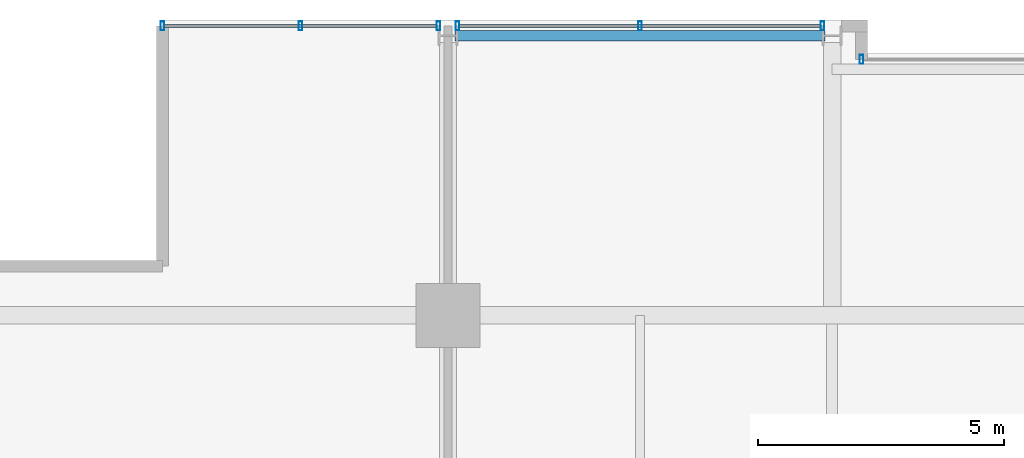
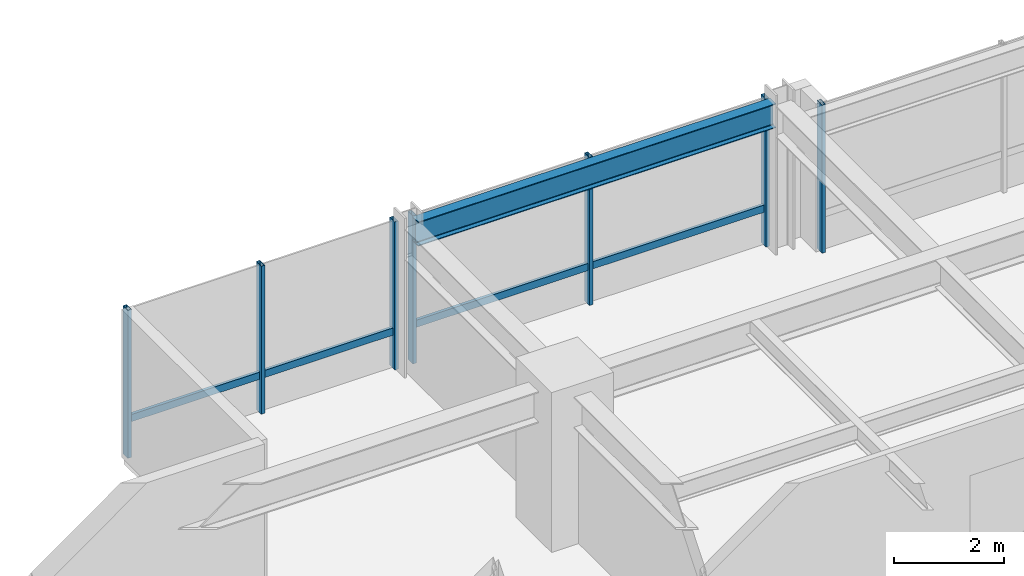
# One storey, part 20 of 32: 9 members, 1 beam, 3 elements without a shape of their own.
"""IFC4 building model written with IfcOpenShell, lengths in metres."""

from ifc_helpers import new_model, si_unit, direction, frame, origin, origin_2d, place, context, subcontext, project, spatial, hollow_rectangle, i_section, extrude, material, layer, layer_set, material_profile, profile_set, type_object, element, aggregate, save


model = new_model("IFC4")

# Units and contexts
model_context = context("Model", 3, precision=1e-05, world=origin(), true_north=direction((0.0, 1.0)))
body_context = subcontext(model_context, "Body", "Model", "MODEL_VIEW")
ifc_project = project(units=[si_unit("LENGTHUNIT", "METRE"), si_unit("AREAUNIT", "SQUARE_METRE"), si_unit("VOLUMEUNIT", "CUBIC_METRE"), si_unit("PLANEANGLEUNIT", "RADIAN"), si_unit("MASSUNIT", "GRAM", prefix="KILO")], contexts=[model_context])

# Site, building, storey
site_placement = place(None, origin())
site = spatial("IfcSite", under=ifc_project, at=site_placement, CompositionType="ELEMENT")
building_placement = place(site_placement, origin())
building = spatial("IfcBuilding", under=site, at=building_placement, Name="Drelvath Grand Hotel", CompositionType="ELEMENT")
storey_placement = place(building_placement, frame((0.0, 0.0, 193.0)))
storey = spatial("IfcBuildingStorey", under=building, at=storey_placement, Name="L50", CompositionType="ELEMENT", Elevation=193.0)

# Curtain wall, member
ifc_material_1 = material(Name="Brushed Pale-Silver Anodised Aluminium Frame", Category="aluminium")
ifc_layer = layer(ifc_material_1, 0.199951171875)
ifc_layer_set = layer_set([ifc_layer], Name="Brushed Pale-Silver Anodised Aluminium Frame")
curtain_wall_type = type_object("IfcCurtainWallType", Name="Stick Curtain Wall CW-04 Brushed Silver Upper-Mid", PredefinedType="NOTDEFINED", material=ifc_layer_set)
curtain_wall_1_placement = place(storey_placement, origin())
curtain_wall_1 = element("IfcCurtainWall", 1, at=curtain_wall_1_placement, inside=storey, type_object=curtain_wall_type, Name="L50 CW-04 Curtain Wall CW04-L50-NW1", PredefinedType="NOTDEFINED")
ifc_material_profile_1 = material_profile(ifc_material_1, hollow_rectangle(XDim=0.06494140625, YDim=0.159912109375, WallThickness=0.00390625, at=origin_2d()), Name="HSS160X65X4")
ifc_profile_set_1 = profile_set([ifc_material_profile_1], Name="Brushed Pale-Silver Anodised Aluminium Frame")
member_type_1 = type_object("IfcMemberType", Name="Curtain Wall Horizontal Transom CW-04 HSS160X65X4", PredefinedType="USERDEFINED", material=ifc_profile_set_1)
member_1_placement = place(storey_placement, frame((-21.9599609375, 49.080078125, 0.822509765625), z_axis=(1.0, 0.0, 0.0), x_axis=(0.0, 1.0, 0.0)))
member_1 = element("IfcMember", 2, at=member_1_placement, type_object=member_type_1, Name="CW04-L50-NW1 Sill Transom", ObjectType="TRANSOM", PredefinedType="USERDEFINED", context=body_context, shape_type="SweptSolid", body=[
    extrude(hollow_rectangle(XDim=0.06494140625, YDim=0.159912109375, WallThickness=0.00390625, at=origin_2d()), origin(), (0.0, 0.0, 1.0), 5.5283203125),
])

curtain_wall_2_placement = place(storey_placement, origin())
curtain_wall_2 = element("IfcCurtainWall", 3, at=curtain_wall_2_placement, inside=storey, type_object=curtain_wall_type, Name="L50 CW-04 Curtain Wall CW04-L50-NW2", PredefinedType="NOTDEFINED")
member_2_placement = place(storey_placement, frame((-15.968505859375, 49.080078125, 0.822509765625), z_axis=(1.0, 0.0, 0.0), x_axis=(0.0, 1.0, 0.0)))
member_2 = element("IfcMember", 4, at=member_2_placement, type_object=member_type_1, Name="CW04-L50-NW2 Sill Transom", ObjectType="TRANSOM", PredefinedType="USERDEFINED", context=body_context, shape_type="SweptSolid", body=[
    extrude(hollow_rectangle(XDim=0.06494140625, YDim=0.159912109375, WallThickness=0.00390625, at=origin_2d()), origin(), (0.0, 0.0, 1.0), 7.3369140625),
])

# Member
ifc_material_profile_2 = material_profile(ifc_material_1, hollow_rectangle(XDim=0.074951171875, YDim=0.179931640625, WallThickness=0.0048828125, at=origin_2d()), Name="HSS180X75X5")
ifc_profile_set_2 = profile_set([ifc_material_profile_2], Name="Brushed Pale-Silver Anodised Aluminium Frame")
member_type_2 = type_object("IfcMemberType", Name="Curtain Wall Vertical Mullion CW-04 HSS180X75X5", PredefinedType="MULLION", material=ifc_profile_set_2)
member_3_placement = place(storey_placement, frame((-22.0, 49.080078125, 0.0), z_axis=(0.0, 0.0, 1.0), x_axis=(1.0, 0.0, 0.0)))
member_3 = element("IfcMember", 5, at=member_3_placement, type_object=member_type_2, Name="CW04-L50-NW1 Mullion 1", PredefinedType="MULLION", context=body_context, shape_type="SweptSolid", body=[
    extrude(hollow_rectangle(XDim=0.074951171875, YDim=0.179931640625, WallThickness=0.0048828125, at=origin_2d()), origin(), (0.0, 0.0, 1.0), 3.2900390625),
])

member_4_placement = place(storey_placement, frame((-19.19580078125, 49.080078125, 0.0), z_axis=(0.0, 0.0, 1.0), x_axis=(1.0, 0.0, 0.0)))
member_4 = element("IfcMember", 6, at=member_4_placement, type_object=member_type_2, Name="CW04-L50-NW1 Mullion 2", PredefinedType="MULLION", context=body_context, shape_type="SweptSolid", body=[
    extrude(hollow_rectangle(XDim=0.074951171875, YDim=0.179931640625, WallThickness=0.0048828125, at=origin_2d()), origin(), (0.0, 0.0, 1.0), 3.2900390625),
])

member_5_placement = place(storey_placement, frame((-16.3916015625, 49.080078125, 0.0), z_axis=(0.0, 0.0, 1.0), x_axis=(1.0, 0.0, 0.0)))
member_5 = element("IfcMember", 7, at=member_5_placement, type_object=member_type_2, Name="CW04-L50-NW1 Mullion 3", PredefinedType="MULLION", context=body_context, shape_type="SweptSolid", body=[
    extrude(hollow_rectangle(XDim=0.074951171875, YDim=0.179931640625, WallThickness=0.0048828125, at=origin_2d()), origin(), (0.0, 0.0, 1.0), 3.2900390625),
])

aggregate(curtain_wall_1, [member_3, member_4, member_5, member_1])

member_6_placement = place(storey_placement, frame((-16.00830078125, 49.080078125, 0.0), z_axis=(0.0, 0.0, 1.0), x_axis=(1.0, 0.0, 0.0)))
member_6 = element("IfcMember", 8, at=member_6_placement, type_object=member_type_2, Name="CW04-L50-NW2 Mullion 1", PredefinedType="MULLION", context=body_context, shape_type="SweptSolid", body=[
    extrude(hollow_rectangle(XDim=0.074951171875, YDim=0.179931640625, WallThickness=0.0048828125, at=origin_2d()), origin(), (0.0, 0.0, 1.0), 3.2900390625),
])

member_7_placement = place(storey_placement, frame((-12.300048828125, 49.080078125, 0.0), z_axis=(0.0, 0.0, 1.0), x_axis=(1.0, 0.0, 0.0)))
member_7 = element("IfcMember", 9, at=member_7_placement, type_object=member_type_2, Name="CW04-L50-NW2 Mullion 2", PredefinedType="MULLION", context=body_context, shape_type="SweptSolid", body=[
    extrude(hollow_rectangle(XDim=0.074951171875, YDim=0.179931640625, WallThickness=0.0048828125, at=origin_2d()), origin(), (0.0, 0.0, 1.0), 3.2900390625),
])

member_8_placement = place(storey_placement, frame((-8.591796875, 49.080078125, 0.0), z_axis=(0.0, 0.0, 1.0), x_axis=(1.0, 0.0, 0.0)))
member_8 = element("IfcMember", 10, at=member_8_placement, type_object=member_type_2, Name="CW04-L50-NW2 Mullion 3", PredefinedType="MULLION", context=body_context, shape_type="SweptSolid", body=[
    extrude(hollow_rectangle(XDim=0.074951171875, YDim=0.179931640625, WallThickness=0.0048828125, at=origin_2d()), origin(), (0.0, 0.0, 1.0), 3.2900390625),
])

aggregate(curtain_wall_2, [member_6, member_7, member_8, member_2])

# Curtain wall, member
curtain_wall_3_placement = place(storey_placement, origin())
curtain_wall_3 = element("IfcCurtainWall", 11, at=curtain_wall_3_placement, inside=storey, type_object=curtain_wall_type, Name="L50 CW-04 Curtain Wall CW04-L50-NM1", PredefinedType="NOTDEFINED")
member_9_placement = place(storey_placement, frame((-7.800048828125, 48.39990234375, 0.0), z_axis=(0.0, 0.0, 1.0), x_axis=(1.0, 0.0, 0.0)))
member_9 = element("IfcMember", 12, at=member_9_placement, type_object=member_type_2, Name="CW04-L50-NM1 Mullion 1", PredefinedType="MULLION", context=body_context, shape_type="SweptSolid", body=[
    extrude(hollow_rectangle(XDim=0.074951171875, YDim=0.179931640625, WallThickness=0.0048828125, at=origin_2d()), origin(), (0.0, 0.0, 1.0), 3.2900390625),
])
aggregate(curtain_wall_3, [member_9])

# Beam
ifc_material_2 = material(Name="Steel ASTM A992 Gr 50", Category="steel")
ifc_material_profile_3 = material_profile(ifc_material_2, i_section(OverallWidth=0.210205078125, OverallDepth=0.53662109375, WebThickness=0.010986328125, FlangeThickness=0.017333984375, FilletRadius=0.01806640625, at=origin_2d()), Name="W21X68")
ifc_profile_set_3 = profile_set([ifc_material_profile_3], Name="Steel ASTM A992 Gr 50")
beam_type = type_object("IfcBeamType", Name="Perimeter Spandrel Beam W21X68", PredefinedType="SPANDREL", material=ifc_profile_set_3)
beam_placement = place(storey_placement, frame((-16.06005859375, 48.8798828125, 3.021484375), z_axis=(1.0, 0.0, 0.0), x_axis=(0.0, 1.0, 0.0)))
element("IfcBeam", 13, at=beam_placement, inside=storey, type_object=beam_type, Name="L50 Spandrel North W", PredefinedType="SPANDREL", context=body_context, shape_type="SweptSolid", body=[
    extrude(i_section(OverallWidth=0.210205078125, OverallDepth=0.53662109375, WebThickness=0.010986328125, FlangeThickness=0.017333984375, FilletRadius=0.01806640625, at=origin_2d()), origin(), (0.0, 0.0, 1.0), 7.52001953125),
])

save(model, "model.ifc")
